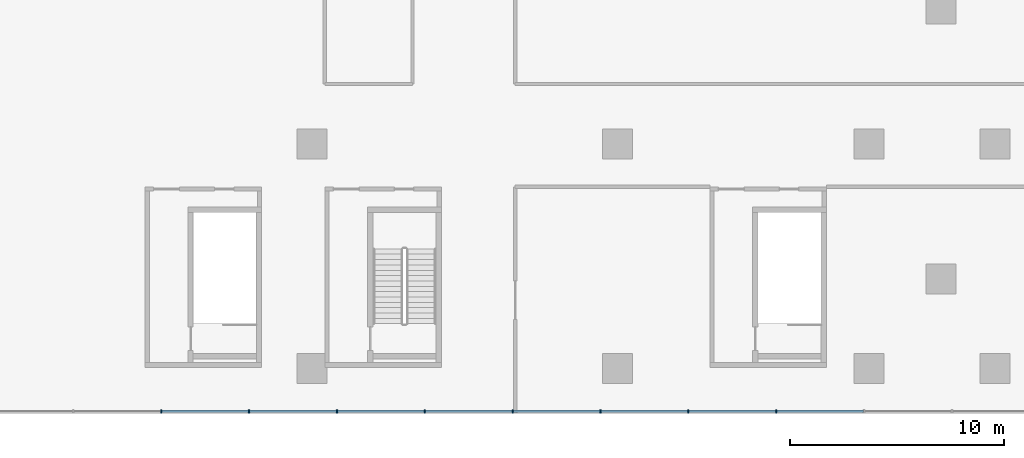
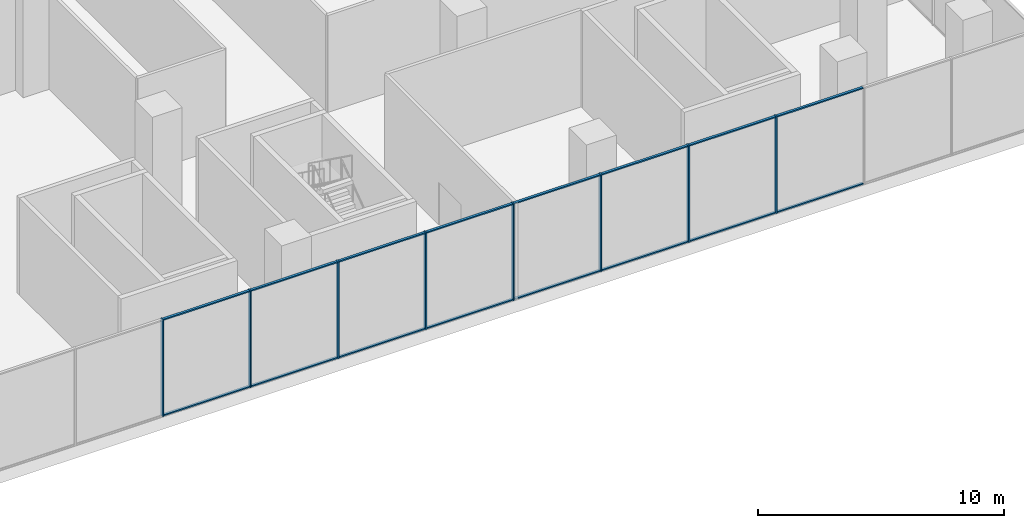
# One storey, part 5 of 21: 24 members, 1 element without a shape of its own.
"""IFC4 building model written with IfcOpenShell, lengths in metres."""

import ifcopenshell
import ifcopenshell.guid

model = None  # the IFC model being written
_history = None  # IfcOwnerHistory: only IFC2X3 demands one
_inside = {}  # id of a spatial element -> (the spatial element, [elements in it])
_under = {}  # id of a project, library or spatial element -> (it, [spatial elements below it])
_declared = {}  # id of a project -> (the project, [libraries it declares])
_typed = {}  # id of a type object -> (the type object, [elements of that type])
_made_of = {}  # id of a material, layer set ... -> (it, [elements and type objects made of it])


def new_model(schema):
    """Start an empty IFC model of exactly this schema.

    Asked for "IFC4X3", IfcOpenShell would pick the latest addendum, in which some entities
    have other attributes; the version numbers below select the first issue.
    IFC2X3 requires an IfcOwnerHistory on every rooted entity: one is made here for all.
    """
    global model, _history
    if schema == "IFC4X3":
        model = ifcopenshell.file(schema_version=(4, 3, 0, 0))
    else:
        model = ifcopenshell.file(schema=schema)
    _inside.clear()
    _under.clear()
    _declared.clear()
    _typed.clear()
    _made_of.clear()
    _history = None
    if model.schema == "IFC2X3":
        org = make("IfcOrganization", Name="unknown")
        user = make(
            "IfcPersonAndOrganization",
            ThePerson=make("IfcPerson", FamilyName="unknown"),
            TheOrganization=org,
        )
        app = make(
            "IfcApplication",
            ApplicationDeveloper=org,
            Version="unknown",
            ApplicationFullName="unknown",
            ApplicationIdentifier="unknown",
        )
        _history = make(
            "IfcOwnerHistory",
            OwningUser=user,
            OwningApplication=app,
            ChangeAction="ADDED",
            CreationDate=0,
        )
    return model


def make(cls, **values):
    """One entity of the class cls with the attributes given. An attribute that is None is left unset."""
    return model.create_entity(
        cls, **{name: value for name, value in values.items() if value is not None}
    )


def rooted(cls, **values):
    """An entity with a GlobalId (a new one), such as an element, a storey or a relation."""
    return make(cls, GlobalId=ifcopenshell.guid.new(), OwnerHistory=_history, **values)


def si_unit(unit_type, name, prefix=None):
    """IfcSIUnit, for example si_unit("LENGTHUNIT", "METRE", prefix="MILLI")."""
    return make("IfcSIUnit", UnitType=unit_type, Prefix=prefix, Name=name)


def assignment(units):
    """IfcUnitAssignment: the units of a project."""
    return None if units is None else make("IfcUnitAssignment", Units=units)


def point(xyz):
    """IfcCartesianPoint."""
    return None if xyz is None else make("IfcCartesianPoint", Coordinates=xyz)


def direction(xyz):
    """IfcDirection."""
    return None if xyz is None else make("IfcDirection", DirectionRatios=xyz)


def frame(location, z_axis=None, x_axis=None):
    """IfcAxis2Placement3D, a coordinate frame: its origin and axes. An axis left out is left unset."""
    return make(
        "IfcAxis2Placement3D",
        Location=point(location),
        Axis=direction(z_axis),
        RefDirection=direction(x_axis),
    )


def frame_2d(location, x_axis=None):
    """IfcAxis2Placement2D, a coordinate frame in the plane: its origin and x axis."""
    return make(
        "IfcAxis2Placement2D", Location=point(location), RefDirection=direction(x_axis)
    )


def origin():
    """The frame at (0, 0, 0) with its axes left unset."""
    return frame((0.0, 0.0, 0.0))


def origin_2d():
    """The frame at (0, 0) in the plane with its x axis left unset."""
    return frame_2d((0.0, 0.0))


def place(relative_to, where):
    """IfcLocalPlacement: puts the frame where relative to a parent placement (None: the world)."""
    return make(
        "IfcLocalPlacement", PlacementRelTo=relative_to, RelativePlacement=where
    )


def context(
    kind, dimensions, precision=None, world=None, true_north=None, identifier=None
):
    """IfcGeometricRepresentationContext, for example the 3D "Model" context."""
    return make(
        "IfcGeometricRepresentationContext",
        ContextIdentifier=identifier,
        ContextType=kind,
        CoordinateSpaceDimension=dimensions,
        Precision=precision,
        WorldCoordinateSystem=world,
        TrueNorth=true_north,
    )


def subcontext(parent, identifier, kind, view, scale=None):
    """IfcGeometricRepresentationSubContext, for example "Body" below "Model"."""
    return make(
        "IfcGeometricRepresentationSubContext",
        ContextIdentifier=identifier,
        ContextType=kind,
        ParentContext=parent,
        TargetScale=scale,
        TargetView=view,
    )


def project(units=None, contexts=None):
    """IfcProject with its units and contexts."""
    return rooted(
        "IfcProject",
        Name="project",
        RepresentationContexts=contexts,
        UnitsInContext=assignment(units),
    )


def spatial(cls, under=None, at=None, **own):
    """A site, building, storey or space (cls), placed at a placement, below another one or the project."""
    s = rooted(cls, ObjectPlacement=at, **own)
    if under is not None:
        _under.setdefault(under.id(), (under, []))[1].append(s)
    return s


def profile(cls, at=None, kind="AREA", **sizes):
    """A parametric profile (cls). Its sizes go by their IFC names, for example OverallWidth=200.0."""
    return make(cls, ProfileType=kind, Position=at, **sizes)


def rectangle(**sizes):
    """IfcRectangleProfileDef."""
    return profile("IfcRectangleProfileDef", **sizes)


def extrude(swept, where, along, depth):
    """IfcExtrudedAreaSolid: the profile swept, set in the frame where, extruded along a direction by depth."""
    return make(
        "IfcExtrudedAreaSolid",
        SweptArea=swept,
        Position=where,
        ExtrudedDirection=direction(along),
        Depth=depth,
    )


def shape(context_of_items, identifier, shape_type, items):
    """IfcShapeRepresentation: the items that make up one representation, for example the "Body"."""
    return make(
        "IfcShapeRepresentation",
        ContextOfItems=context_of_items,
        RepresentationIdentifier=identifier,
        RepresentationType=shape_type,
        Items=items,
    )


def source(mapping_origin, context_of_items, identifier, shape_type, items):
    """IfcRepresentationMap: a shape defined once, which mapped items show again and again."""
    return make(
        "IfcRepresentationMap",
        MappingOrigin=mapping_origin,
        MappedRepresentation=shape(context_of_items, identifier, shape_type, items),
    )


def transform(
    local_origin,
    x_axis=None,
    y_axis=None,
    z_axis=None,
    scale=None,
    scale2=None,
    scale3=None,
    uniform=True,
):
    """IfcCartesianTransformationOperator3D, or its non-uniform kind. x_axis, y_axis, z_axis: its Axis1, 2, 3."""
    if uniform:
        return make(
            "IfcCartesianTransformationOperator3D",
            Axis1=direction(x_axis),
            Axis2=direction(y_axis),
            LocalOrigin=point(local_origin),
            Scale=scale,
            Axis3=direction(z_axis),
        )
    return make(
        "IfcCartesianTransformationOperator3DnonUniform",
        Axis1=direction(x_axis),
        Axis2=direction(y_axis),
        LocalOrigin=point(local_origin),
        Scale=scale,
        Axis3=direction(z_axis),
        Scale2=scale2,
        Scale3=scale3,
    )


def mapped(mapping_source, mapping_target):
    """IfcMappedItem: shows the shape of a source again, moved by a transform."""
    return make(
        "IfcMappedItem", MappingSource=mapping_source, MappingTarget=mapping_target
    )


def material(Name=None, Category=None):
    """IfcMaterial."""
    return make("IfcMaterial", Name=Name, Category=Category)


def layer(
    of_material, thickness, ventilated=None, Name=None, Category=None, Priority=None
):
    """IfcMaterialLayer: one layer of a wall or slab, of a material (None: an air gap)."""
    return make(
        "IfcMaterialLayer",
        Material=of_material,
        LayerThickness=thickness,
        IsVentilated=ventilated,
        Name=Name,
        Category=Category,
        Priority=Priority,
    )


def layer_set(layers, Name=None):
    """IfcMaterialLayerSet."""
    return make("IfcMaterialLayerSet", MaterialLayers=layers, LayerSetName=Name)


def material_profile(
    of_material, cross_section, Name=None, Category=None, Priority=None
):
    """IfcMaterialProfile: a cross section and its material."""
    return make(
        "IfcMaterialProfile",
        Name=Name,
        Material=of_material,
        Profile=cross_section,
        Priority=Priority,
        Category=Category,
    )


def profile_set(profiles, Name=None, composite=None):
    """IfcMaterialProfileSet."""
    return make(
        "IfcMaterialProfileSet",
        Name=Name,
        MaterialProfiles=profiles,
        CompositeProfile=composite,
    )


def made_of(thing, what):
    """Note that an element or type object is made of a material, layer set ...; save() writes the relation."""
    if what is not None:
        _made_of.setdefault(what.id(), (what, []))[1].append(thing)
    return thing


def type_object(cls, material=None, **own):
    """A type object (cls), such as IfcWallType, which elements share."""
    return made_of(rooted(cls, **own), material)


def element(
    cls,
    number,
    at=None,
    inside=None,
    cuts=None,
    type_object=None,
    material=None,
    context=None,
    identifier="Body",
    shape_type=None,
    held_by="IfcProductDefinitionShape",
    body=None,
    shapes=None,
    **own,
):
    """One element of the class cls, such as IfcWall. Its Tag is "e" and its number.

    at: its placement. inside: the storey or other place that contains it. cuts: it is an
    opening in that element (IfcRelVoidsElement). A single representation is given by context,
    identifier, shape_type and body (its items); several are given by shapes. held_by: the class
    of the entity that holds the representations. save() writes the other relations.
    """
    e = rooted(cls, Tag="e%d" % number, ObjectPlacement=at, **own)
    if body is not None:
        shapes = [shape(context, identifier, shape_type, body)]
    if shapes is not None:
        e.Representation = make(held_by, Representations=shapes)
    if inside is not None:
        _inside.setdefault(inside.id(), (inside, []))[1].append(e)
    if cuts is not None:
        rooted(
            "IfcRelVoidsElement", RelatingBuildingElement=cuts, RelatedOpeningElement=e
        )
    if type_object is not None:
        _typed.setdefault(type_object.id(), (type_object, []))[1].append(e)
    return made_of(e, material)


def aggregate(whole, parts):
    """IfcRelAggregates: a whole, such as a stair, and the parts it consists of."""
    return rooted("IfcRelAggregates", RelatingObject=whole, RelatedObjects=parts)


def save(model, path):
    """Write the relations noted so far, then the file.

    IfcRelAggregates (storeys below a building ...), IfcRelContainedInSpatialStructure (elements
    in a storey), IfcRelDefinesByType, IfcRelAssociatesMaterial and IfcRelDeclares: one each for
    every whole, place, type object, material and project.
    """
    for whole, parts in _under.values():
        aggregate(whole, parts)
    for where, things in _inside.values():
        rooted(
            "IfcRelContainedInSpatialStructure",
            RelatedElements=things,
            RelatingStructure=where,
        )
    for kind, things in _typed.values():
        rooted("IfcRelDefinesByType", RelatedObjects=things, RelatingType=kind)
    for what, things in _made_of.values():
        rooted("IfcRelAssociatesMaterial", RelatedObjects=things, RelatingMaterial=what)
    for by, libraries in _declared.values():
        rooted("IfcRelDeclares", RelatingContext=by, RelatedDefinitions=libraries)
    model.write(path)


model = new_model("IFC4")

# Units and contexts
model_context = context("Model", 3, precision=1e-05, world=origin(), true_north=direction((0.0, 1.0)))
body_context = subcontext(model_context, "Body", "Model", "MODEL_VIEW")
ifc_project = project(units=[si_unit("LENGTHUNIT", "METRE"), si_unit("AREAUNIT", "SQUARE_METRE"), si_unit("VOLUMEUNIT", "CUBIC_METRE"), si_unit("PLANEANGLEUNIT", "RADIAN"), si_unit("MASSUNIT", "GRAM", prefix="KILO")], contexts=[model_context])

# Site, building, storey
site_placement = place(None, origin())
site = spatial("IfcSite", under=ifc_project, at=site_placement, CompositionType="ELEMENT")
building_placement = place(site_placement, origin())
building = spatial("IfcBuilding", under=site, at=building_placement, Name="Aurelian Terraces", CompositionType="ELEMENT")
storey_placement = place(building_placement, frame((0.0, 0.0, 29.1)))
storey = spatial("IfcBuildingStorey", under=building, at=storey_placement, Name="L05", CompositionType="ELEMENT", Elevation=29.1)

# Curtain wall, members
ifc_material_1 = material(Name="Anodised aluminium and clear glazing", Category="aluminium")
ifc_layer = layer(ifc_material_1, 0.2)
ifc_layer_set = layer_set([ifc_layer], Name="Winter garden glazing curtain wall")
curtain_wall_type = type_object("IfcCurtainWallType", Name="Winter garden glazing curtain wall", PredefinedType="NOTDEFINED", material=ifc_layer_set)
curtain_wall_placement = place(storey_placement, origin())
curtain_wall = element("IfcCurtainWall", 1, at=curtain_wall_placement, inside=storey, type_object=curtain_wall_type, Name="Winter garden glazing L05 F01.1", PredefinedType="NOTDEFINED")
ifc_material_2 = material(Name="Anodised aluminium", Category="aluminium")
ifc_material_profile_1 = material_profile(ifc_material_2, rectangle(XDim=0.18, YDim=0.06, at=origin_2d()))
ifc_profile_set_1 = profile_set([ifc_material_profile_1], Name="Anodised aluminium")
member_type_1 = type_object("IfcMemberType", Name="Winter garden glazing mullion", PredefinedType="MULLION", material=ifc_profile_set_1)
shared_shape_1 = source(origin(), body_context, "Body", "SweptSolid", [
    extrude(rectangle(XDim=0.18, YDim=0.06, at=origin_2d()), origin(), (0.0, 0.0, 1.0), 4.8),
])
member_1_placement = place(storey_placement, frame((30.7533, -2.0, 0.0), z_axis=(0.0, 0.0, 1.0), x_axis=(0.0, 1.0, 0.0)))
member_1 = element("IfcMember", 2, at=member_1_placement, type_object=member_type_1, Name="CW6 mullion 9", PredefinedType="MULLION", context=body_context, shape_type="MappedRepresentation", body=[
    mapped(shared_shape_1, transform((0.0, 0.0, 0.0), scale=1.0)),
])
member_2_placement = place(storey_placement, frame((34.86, -2.0, 0.0), z_axis=(0.0, 0.0, 1.0), x_axis=(0.0, 1.0, 0.0)))
member_2 = element("IfcMember", 3, at=member_2_placement, type_object=member_type_1, Name="CW6 mullion 10", PredefinedType="MULLION", context=body_context, shape_type="MappedRepresentation", body=[
    mapped(shared_shape_1, transform((0.0, 0.0, 0.0), scale=1.0)),
])
member_3_placement = place(storey_placement, frame((38.9667, -2.0, 0.0), z_axis=(0.0, 0.0, 1.0), x_axis=(0.0, 1.0, 0.0)))
member_3 = element("IfcMember", 4, at=member_3_placement, type_object=member_type_1, Name="CW6 mullion 11", PredefinedType="MULLION", context=body_context, shape_type="MappedRepresentation", body=[
    mapped(shared_shape_1, transform((0.0, 0.0, 0.0), scale=1.0)),
])
member_4_placement = place(storey_placement, frame((43.0733, -2.0, 0.0), z_axis=(0.0, 0.0, 1.0), x_axis=(0.0, 1.0, 0.0)))
member_4 = element("IfcMember", 5, at=member_4_placement, type_object=member_type_1, Name="CW6 mullion 12", PredefinedType="MULLION", context=body_context, shape_type="MappedRepresentation", body=[
    mapped(shared_shape_1, transform((0.0, 0.0, 0.0), scale=1.0)),
])
member_5_placement = place(storey_placement, frame((47.18, -2.0, 0.0), z_axis=(0.0, 0.0, 1.0), x_axis=(0.0, 1.0, 0.0)))
member_5 = element("IfcMember", 6, at=member_5_placement, type_object=member_type_1, Name="CW6 mullion 13", PredefinedType="MULLION", context=body_context, shape_type="MappedRepresentation", body=[
    mapped(shared_shape_1, transform((0.0, 0.0, 0.0), scale=1.0)),
])
member_6_placement = place(storey_placement, frame((51.2867, -2.0, 0.0), z_axis=(0.0, 0.0, 1.0), x_axis=(0.0, 1.0, 0.0)))
member_6 = element("IfcMember", 7, at=member_6_placement, type_object=member_type_1, Name="CW6 mullion 14", PredefinedType="MULLION", context=body_context, shape_type="MappedRepresentation", body=[
    mapped(shared_shape_1, transform((0.0, 0.0, 0.0), scale=1.0)),
])
member_7_placement = place(storey_placement, frame((55.3933, -2.0, 0.0), z_axis=(0.0, 0.0, 1.0), x_axis=(0.0, 1.0, 0.0)))
member_7 = element("IfcMember", 8, at=member_7_placement, type_object=member_type_1, Name="CW6 mullion 15", PredefinedType="MULLION", context=body_context, shape_type="MappedRepresentation", body=[
    mapped(shared_shape_1, transform((0.0, 0.0, 0.0), scale=1.0)),
])
member_8_placement = place(storey_placement, frame((59.5, -2.0, 0.0), z_axis=(0.0, 0.0, 1.0), x_axis=(0.0, 1.0, 0.0)))
member_8 = element("IfcMember", 9, at=member_8_placement, type_object=member_type_1, Name="CW6 mullion 16", PredefinedType="MULLION", context=body_context, shape_type="MappedRepresentation", body=[
    mapped(shared_shape_1, transform((0.0, 0.0, 0.0), scale=1.0)),
])
ifc_material_profile_2 = material_profile(ifc_material_2, rectangle(XDim=0.12, YDim=0.06, at=origin_2d()))
ifc_profile_set_2 = profile_set([ifc_material_profile_2], Name="Anodised aluminium")
member_type_2 = type_object("IfcMemberType", Name="Winter garden glazing transom", PredefinedType="USERDEFINED", material=ifc_profile_set_2)
shared_shape_2 = source(origin(), body_context, "Body", "SweptSolid", [
    extrude(rectangle(XDim=0.12, YDim=0.06, at=origin_2d()), origin(), (0.0, 0.0, 1.0), 4.0466),
])
member_9_placement = place(storey_placement, frame((38.9967, -2.0, 0.03), z_axis=(1.0, 0.0, 0.0), x_axis=(0.0, 1.0, 0.0)))
member_9 = element("IfcMember", 10, at=member_9_placement, type_object=member_type_2, Name="CW6 transom 11.1", ObjectType="TRANSOM", PredefinedType="USERDEFINED", context=body_context, shape_type="MappedRepresentation", body=[
    mapped(shared_shape_2, transform((0.0, 0.0, 0.0), scale=1.0)),
])
member_10_placement = place(storey_placement, frame((38.9967, -2.0, 4.77), z_axis=(1.0, 0.0, 0.0), x_axis=(0.0, 1.0, 0.0)))
member_10 = element("IfcMember", 11, at=member_10_placement, type_object=member_type_2, Name="CW6 transom 11.2", ObjectType="TRANSOM", PredefinedType="USERDEFINED", context=body_context, shape_type="MappedRepresentation", body=[
    mapped(shared_shape_2, transform((0.0, 0.0, 0.0), scale=1.0)),
])
member_11_placement = place(storey_placement, frame((51.3167, -2.0, 0.03), z_axis=(1.0, 0.0, 0.0), x_axis=(0.0, 1.0, 0.0)))
member_11 = element("IfcMember", 12, at=member_11_placement, type_object=member_type_2, Name="CW6 transom 14.1", ObjectType="TRANSOM", PredefinedType="USERDEFINED", context=body_context, shape_type="MappedRepresentation", body=[
    mapped(shared_shape_2, transform((0.0, 0.0, 0.0), scale=1.0)),
])
member_12_placement = place(storey_placement, frame((51.3167, -2.0, 4.77), z_axis=(1.0, 0.0, 0.0), x_axis=(0.0, 1.0, 0.0)))
member_12 = element("IfcMember", 13, at=member_12_placement, type_object=member_type_2, Name="CW6 transom 14.2", ObjectType="TRANSOM", PredefinedType="USERDEFINED", context=body_context, shape_type="MappedRepresentation", body=[
    mapped(shared_shape_2, transform((0.0, 0.0, 0.0), scale=1.0)),
])
shared_shape_3 = source(origin(), body_context, "Body", "SweptSolid", [
    extrude(rectangle(XDim=0.12, YDim=0.06, at=origin_2d()), origin(), (0.0, 0.0, 1.0), 4.0467),
])
member_13_placement = place(storey_placement, frame((30.7833, -2.0, 0.03), z_axis=(1.0, 0.0, 0.0), x_axis=(0.0, 1.0, 0.0)))
member_13 = element("IfcMember", 14, at=member_13_placement, type_object=member_type_2, Name="CW6 transom 9.1", ObjectType="TRANSOM", PredefinedType="USERDEFINED", context=body_context, shape_type="MappedRepresentation", body=[
    mapped(shared_shape_3, transform((0.0, 0.0, 0.0), scale=1.0)),
])
member_14_placement = place(storey_placement, frame((30.7833, -2.0, 4.77), z_axis=(1.0, 0.0, 0.0), x_axis=(0.0, 1.0, 0.0)))
member_14 = element("IfcMember", 15, at=member_14_placement, type_object=member_type_2, Name="CW6 transom 9.2", ObjectType="TRANSOM", PredefinedType="USERDEFINED", context=body_context, shape_type="MappedRepresentation", body=[
    mapped(shared_shape_3, transform((0.0, 0.0, 0.0), scale=1.0)),
])
member_15_placement = place(storey_placement, frame((34.89, -2.0, 0.03), z_axis=(1.0, 0.0, 0.0), x_axis=(0.0, 1.0, 0.0)))
member_15 = element("IfcMember", 16, at=member_15_placement, type_object=member_type_2, Name="CW6 transom 10.1", ObjectType="TRANSOM", PredefinedType="USERDEFINED", context=body_context, shape_type="MappedRepresentation", body=[
    mapped(shared_shape_3, transform((0.0, 0.0, 0.0), scale=1.0)),
])
member_16_placement = place(storey_placement, frame((34.89, -2.0, 4.77), z_axis=(1.0, 0.0, 0.0), x_axis=(0.0, 1.0, 0.0)))
member_16 = element("IfcMember", 17, at=member_16_placement, type_object=member_type_2, Name="CW6 transom 10.2", ObjectType="TRANSOM", PredefinedType="USERDEFINED", context=body_context, shape_type="MappedRepresentation", body=[
    mapped(shared_shape_3, transform((0.0, 0.0, 0.0), scale=1.0)),
])
member_17_placement = place(storey_placement, frame((43.1033, -2.0, 0.03), z_axis=(1.0, 0.0, 0.0), x_axis=(0.0, 1.0, 0.0)))
member_17 = element("IfcMember", 18, at=member_17_placement, type_object=member_type_2, Name="CW6 transom 12.1", ObjectType="TRANSOM", PredefinedType="USERDEFINED", context=body_context, shape_type="MappedRepresentation", body=[
    mapped(shared_shape_3, transform((0.0, 0.0, 0.0), scale=1.0)),
])
member_18_placement = place(storey_placement, frame((43.1033, -2.0, 4.77), z_axis=(1.0, 0.0, 0.0), x_axis=(0.0, 1.0, 0.0)))
member_18 = element("IfcMember", 19, at=member_18_placement, type_object=member_type_2, Name="CW6 transom 12.2", ObjectType="TRANSOM", PredefinedType="USERDEFINED", context=body_context, shape_type="MappedRepresentation", body=[
    mapped(shared_shape_3, transform((0.0, 0.0, 0.0), scale=1.0)),
])
member_19_placement = place(storey_placement, frame((47.21, -2.0, 0.03), z_axis=(1.0, 0.0, 0.0), x_axis=(0.0, 1.0, 0.0)))
member_19 = element("IfcMember", 20, at=member_19_placement, type_object=member_type_2, Name="CW6 transom 13.1", ObjectType="TRANSOM", PredefinedType="USERDEFINED", context=body_context, shape_type="MappedRepresentation", body=[
    mapped(shared_shape_3, transform((0.0, 0.0, 0.0), scale=1.0)),
])
member_20_placement = place(storey_placement, frame((47.21, -2.0, 4.77), z_axis=(1.0, 0.0, 0.0), x_axis=(0.0, 1.0, 0.0)))
member_20 = element("IfcMember", 21, at=member_20_placement, type_object=member_type_2, Name="CW6 transom 13.2", ObjectType="TRANSOM", PredefinedType="USERDEFINED", context=body_context, shape_type="MappedRepresentation", body=[
    mapped(shared_shape_3, transform((0.0, 0.0, 0.0), scale=1.0)),
])
member_21_placement = place(storey_placement, frame((55.4233, -2.0, 0.03), z_axis=(1.0, 0.0, 0.0), x_axis=(0.0, 1.0, 0.0)))
member_21 = element("IfcMember", 22, at=member_21_placement, type_object=member_type_2, Name="CW6 transom 15.1", ObjectType="TRANSOM", PredefinedType="USERDEFINED", context=body_context, shape_type="MappedRepresentation", body=[
    mapped(shared_shape_3, transform((0.0, 0.0, 0.0), scale=1.0)),
])
member_22_placement = place(storey_placement, frame((55.4233, -2.0, 4.77), z_axis=(1.0, 0.0, 0.0), x_axis=(0.0, 1.0, 0.0)))
member_22 = element("IfcMember", 23, at=member_22_placement, type_object=member_type_2, Name="CW6 transom 15.2", ObjectType="TRANSOM", PredefinedType="USERDEFINED", context=body_context, shape_type="MappedRepresentation", body=[
    mapped(shared_shape_3, transform((0.0, 0.0, 0.0), scale=1.0)),
])
member_23_placement = place(storey_placement, frame((59.53, -2.0, 0.03), z_axis=(1.0, 0.0, 0.0), x_axis=(0.0, 1.0, 0.0)))
member_23 = element("IfcMember", 24, at=member_23_placement, type_object=member_type_2, Name="CW6 transom 16.1", ObjectType="TRANSOM", PredefinedType="USERDEFINED", context=body_context, shape_type="MappedRepresentation", body=[
    mapped(shared_shape_3, transform((0.0, 0.0, 0.0), scale=1.0)),
])
member_24_placement = place(storey_placement, frame((59.53, -2.0, 4.77), z_axis=(1.0, 0.0, 0.0), x_axis=(0.0, 1.0, 0.0)))
member_24 = element("IfcMember", 25, at=member_24_placement, type_object=member_type_2, Name="CW6 transom 16.2", ObjectType="TRANSOM", PredefinedType="USERDEFINED", context=body_context, shape_type="MappedRepresentation", body=[
    mapped(shared_shape_3, transform((0.0, 0.0, 0.0), scale=1.0)),
])
aggregate(curtain_wall, [member_1, member_2, member_3, member_4, member_5, member_6, member_7, member_8, member_13, member_14, member_15, member_16, member_9, member_10, member_17, member_18, member_19, member_20, member_11, member_12, member_21, member_22, member_23, member_24])

save(model, "model.ifc")
